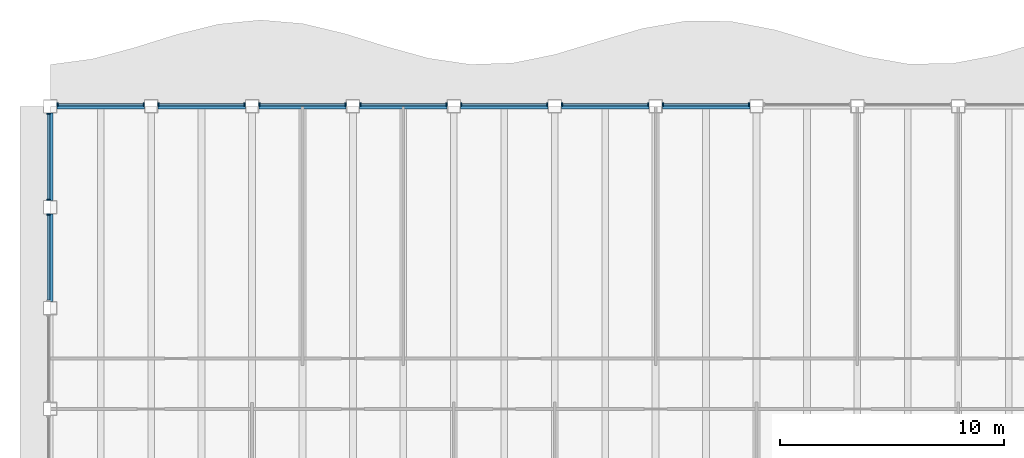
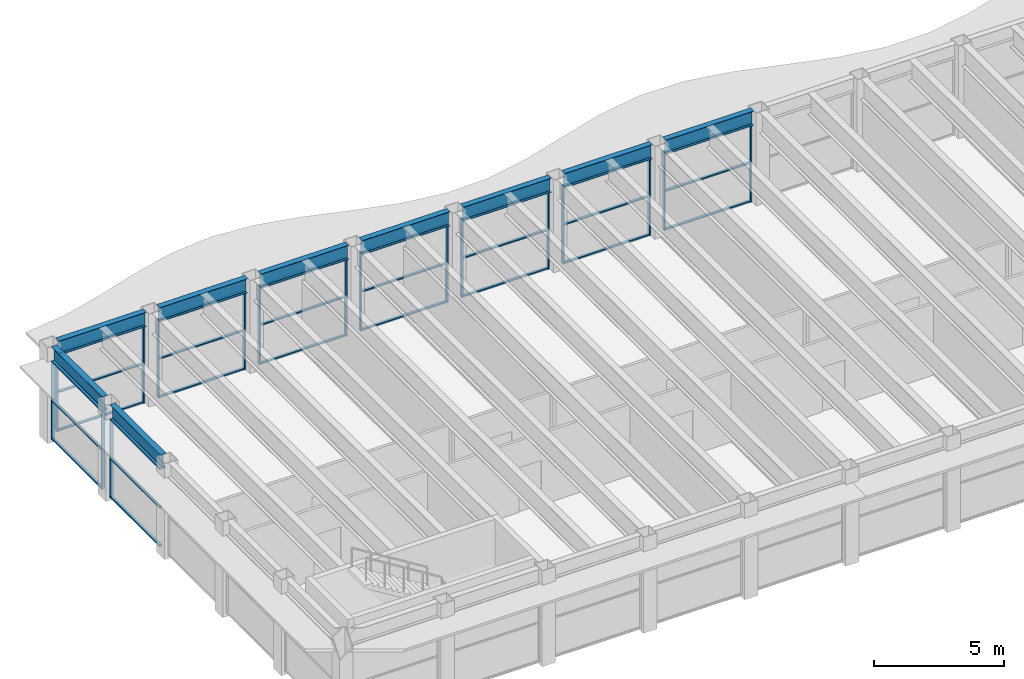
# One storey, part 4 of 14: 44 members, 9 beams, 9 elements without a shape of their own.
"""IFC4 building model written with IfcOpenShell, lengths in metres."""

from ifc_helpers import new_model, si_unit, direction, frame, origin, origin_2d, place, context, subcontext, project, spatial, rectangle, i_section, extrude, material, material_profile, profile_set, type_object, element, aggregate, save


model = new_model("IFC4")

# Units and contexts
model_context = context("Model", 3, precision=1e-05, world=origin(), true_north=direction((0.0, 1.0)))
body_context = subcontext(model_context, "Body", "Model", "MODEL_VIEW")
ifc_project = project(units=[si_unit("LENGTHUNIT", "METRE"), si_unit("AREAUNIT", "SQUARE_METRE"), si_unit("VOLUMEUNIT", "CUBIC_METRE"), si_unit("PLANEANGLEUNIT", "RADIAN"), si_unit("MASSUNIT", "GRAM", prefix="KILO")], contexts=[model_context])

# Site, building, storey
site_placement = place(None, origin())
site = spatial("IfcSite", under=ifc_project, at=site_placement, CompositionType="ELEMENT")
building_placement = place(site_placement, origin())
building = spatial("IfcBuilding", under=site, at=building_placement, Name="Sennacour Bend Tower", CompositionType="ELEMENT")
storey_placement = place(building_placement, frame((0.0, 0.0, 305.0)))
storey = spatial("IfcBuildingStorey", under=building, at=storey_placement, Name="L70", CompositionType="ELEMENT", Elevation=305.0)

# Curtain wall, members
ifc_material_1 = material(Name="Bronze anodised aluminium curtain wall with clear glass", Category="aluminium")
curtain_wall_type = type_object("IfcCurtainWallType", Name="CURTAIN WALL EXEC", PredefinedType="NOTDEFINED", material=ifc_material_1)
curtain_wall_1_placement = place(storey_placement, origin())
curtain_wall_1 = element("IfcCurtainWall", 1, at=curtain_wall_1_placement, inside=storey, type_object=curtain_wall_type, Name="Executive floor glass wall L70", PredefinedType="NOTDEFINED")
ifc_material_2 = material(Name="Aluminium 6063-T6", Category="aluminium")
ifc_material_profile_1 = material_profile(ifc_material_2, rectangle(XDim=0.14990234375, YDim=0.06005859375, at=origin_2d()), Name="Aluminium 6063-T6", Category="aluminium")
ifc_profile_set_1 = profile_set([ifc_material_profile_1], Name="Aluminium 6063-T6")
member_type_1 = type_object("IfcMemberType", Name="CW-MULLION-150X60", PredefinedType="MULLION", material=ifc_profile_set_1)
member_1_placement = place(storey_placement, frame((31.169921875, 22.574951171875, 0.0), z_axis=(0.0, 0.0, 1.0), x_axis=(0.0, -1.0, 0.0)))
member_1 = element("IfcMember", 2, at=member_1_placement, type_object=member_type_1, Name="GW3 curtain wall mullion 1", PredefinedType="MULLION", context=body_context, shape_type="SweptSolid", body=[
    extrude(rectangle(XDim=0.14990234375, YDim=0.06005859375, at=origin_2d()), origin(), (0.0, 0.0, 1.0), 3.672119140625),
])
member_2_placement = place(storey_placement, frame((27.330078125, 22.574951171875, 0.0), z_axis=(0.0, 0.0, 1.0), x_axis=(0.0, -1.0, 0.0)))
member_2 = element("IfcMember", 3, at=member_2_placement, type_object=member_type_1, Name="GW3 curtain wall mullion 2", PredefinedType="MULLION", context=body_context, shape_type="SweptSolid", body=[
    extrude(rectangle(XDim=0.14990234375, YDim=0.06005859375, at=origin_2d()), origin(), (0.0, 0.0, 1.0), 3.672119140625),
])

curtain_wall_2_placement = place(storey_placement, origin())
curtain_wall_2 = element("IfcCurtainWall", 4, at=curtain_wall_2_placement, inside=storey, type_object=curtain_wall_type, Name="Executive floor glass wall L70", PredefinedType="NOTDEFINED")
member_3_placement = place(storey_placement, frame((26.669921875, 22.574951171875, 0.0), z_axis=(0.0, 0.0, 1.0), x_axis=(0.0, -1.0, 0.0)))
member_3 = element("IfcMember", 5, at=member_3_placement, type_object=member_type_1, Name="GW3 curtain wall mullion 1", PredefinedType="MULLION", context=body_context, shape_type="SweptSolid", body=[
    extrude(rectangle(XDim=0.14990234375, YDim=0.06005859375, at=origin_2d()), origin(), (0.0, 0.0, 1.0), 3.672119140625),
])
member_4_placement = place(storey_placement, frame((22.830078125, 22.574951171875, 0.0), z_axis=(0.0, 0.0, 1.0), x_axis=(0.0, -1.0, 0.0)))
member_4 = element("IfcMember", 6, at=member_4_placement, type_object=member_type_1, Name="GW3 curtain wall mullion 2", PredefinedType="MULLION", context=body_context, shape_type="SweptSolid", body=[
    extrude(rectangle(XDim=0.14990234375, YDim=0.06005859375, at=origin_2d()), origin(), (0.0, 0.0, 1.0), 3.672119140625),
])

curtain_wall_3_placement = place(storey_placement, origin())
curtain_wall_3 = element("IfcCurtainWall", 7, at=curtain_wall_3_placement, inside=storey, type_object=curtain_wall_type, Name="Executive floor glass wall L70", PredefinedType="NOTDEFINED")
member_5_placement = place(storey_placement, frame((22.169921875, 22.574951171875, 0.0), z_axis=(0.0, 0.0, 1.0), x_axis=(0.0, -1.0, 0.0)))
member_5 = element("IfcMember", 8, at=member_5_placement, type_object=member_type_1, Name="GW3 curtain wall mullion 1", PredefinedType="MULLION", context=body_context, shape_type="SweptSolid", body=[
    extrude(rectangle(XDim=0.14990234375, YDim=0.06005859375, at=origin_2d()), origin(), (0.0, 0.0, 1.0), 3.672119140625),
])
member_6_placement = place(storey_placement, frame((18.330078125, 22.574951171875, 0.0), z_axis=(0.0, 0.0, 1.0), x_axis=(0.0, -1.0, 0.0)))
member_6 = element("IfcMember", 9, at=member_6_placement, type_object=member_type_1, Name="GW3 curtain wall mullion 2", PredefinedType="MULLION", context=body_context, shape_type="SweptSolid", body=[
    extrude(rectangle(XDim=0.14990234375, YDim=0.06005859375, at=origin_2d()), origin(), (0.0, 0.0, 1.0), 3.672119140625),
])

curtain_wall_4_placement = place(storey_placement, origin())
curtain_wall_4 = element("IfcCurtainWall", 10, at=curtain_wall_4_placement, inside=storey, type_object=curtain_wall_type, Name="Executive floor glass wall L70", PredefinedType="NOTDEFINED")
member_7_placement = place(storey_placement, frame((17.669921875, 22.574951171875, 0.0), z_axis=(0.0, 0.0, 1.0), x_axis=(0.0, -1.0, 0.0)))
member_7 = element("IfcMember", 11, at=member_7_placement, type_object=member_type_1, Name="GW3 curtain wall mullion 1", PredefinedType="MULLION", context=body_context, shape_type="SweptSolid", body=[
    extrude(rectangle(XDim=0.14990234375, YDim=0.06005859375, at=origin_2d()), origin(), (0.0, 0.0, 1.0), 3.672119140625),
])
member_8_placement = place(storey_placement, frame((13.830078125, 22.574951171875, 0.0), z_axis=(0.0, 0.0, 1.0), x_axis=(0.0, -1.0, 0.0)))
member_8 = element("IfcMember", 12, at=member_8_placement, type_object=member_type_1, Name="GW3 curtain wall mullion 2", PredefinedType="MULLION", context=body_context, shape_type="SweptSolid", body=[
    extrude(rectangle(XDim=0.14990234375, YDim=0.06005859375, at=origin_2d()), origin(), (0.0, 0.0, 1.0), 3.672119140625),
])

curtain_wall_5_placement = place(storey_placement, origin())
curtain_wall_5 = element("IfcCurtainWall", 13, at=curtain_wall_5_placement, inside=storey, type_object=curtain_wall_type, Name="Executive floor glass wall L70", PredefinedType="NOTDEFINED")
member_9_placement = place(storey_placement, frame((13.169921875, 22.574951171875, 0.0), z_axis=(0.0, 0.0, 1.0), x_axis=(0.0, -1.0, 0.0)))
member_9 = element("IfcMember", 14, at=member_9_placement, type_object=member_type_1, Name="GW3 curtain wall mullion 1", PredefinedType="MULLION", context=body_context, shape_type="SweptSolid", body=[
    extrude(rectangle(XDim=0.14990234375, YDim=0.06005859375, at=origin_2d()), origin(), (0.0, 0.0, 1.0), 3.672119140625),
])
member_10_placement = place(storey_placement, frame((9.330078125, 22.574951171875, 0.0), z_axis=(0.0, 0.0, 1.0), x_axis=(0.0, -1.0, 0.0)))
member_10 = element("IfcMember", 15, at=member_10_placement, type_object=member_type_1, Name="GW3 curtain wall mullion 2", PredefinedType="MULLION", context=body_context, shape_type="SweptSolid", body=[
    extrude(rectangle(XDim=0.14990234375, YDim=0.06005859375, at=origin_2d()), origin(), (0.0, 0.0, 1.0), 3.672119140625),
])

curtain_wall_6_placement = place(storey_placement, origin())
curtain_wall_6 = element("IfcCurtainWall", 16, at=curtain_wall_6_placement, inside=storey, type_object=curtain_wall_type, Name="Executive floor glass wall L70", PredefinedType="NOTDEFINED")
member_11_placement = place(storey_placement, frame((8.669921875, 22.574951171875, 0.0), z_axis=(0.0, 0.0, 1.0), x_axis=(0.0, -1.0, 0.0)))
member_11 = element("IfcMember", 17, at=member_11_placement, type_object=member_type_1, Name="GW3 curtain wall mullion 1", PredefinedType="MULLION", context=body_context, shape_type="SweptSolid", body=[
    extrude(rectangle(XDim=0.14990234375, YDim=0.06005859375, at=origin_2d()), origin(), (0.0, 0.0, 1.0), 3.672119140625),
])
member_12_placement = place(storey_placement, frame((4.830078125, 22.574951171875, 0.0), z_axis=(0.0, 0.0, 1.0), x_axis=(0.0, -1.0, 0.0)))
member_12 = element("IfcMember", 18, at=member_12_placement, type_object=member_type_1, Name="GW3 curtain wall mullion 2", PredefinedType="MULLION", context=body_context, shape_type="SweptSolid", body=[
    extrude(rectangle(XDim=0.14990234375, YDim=0.06005859375, at=origin_2d()), origin(), (0.0, 0.0, 1.0), 3.672119140625),
])

curtain_wall_7_placement = place(storey_placement, origin())
curtain_wall_7 = element("IfcCurtainWall", 19, at=curtain_wall_7_placement, inside=storey, type_object=curtain_wall_type, Name="Executive floor glass wall L70", PredefinedType="NOTDEFINED")
member_13_placement = place(storey_placement, frame((4.169921875, 22.574951171875, 0.0), z_axis=(0.0, 0.0, 1.0), x_axis=(0.0, -1.0, 0.0)))
member_13 = element("IfcMember", 20, at=member_13_placement, type_object=member_type_1, Name="GW3 curtain wall mullion 1", PredefinedType="MULLION", context=body_context, shape_type="SweptSolid", body=[
    extrude(rectangle(XDim=0.14990234375, YDim=0.06005859375, at=origin_2d()), origin(), (0.0, 0.0, 1.0), 3.672119140625),
])
member_14_placement = place(storey_placement, frame((0.330078125, 22.574951171875, 0.0), z_axis=(0.0, 0.0, 1.0), x_axis=(0.0, -1.0, 0.0)))
member_14 = element("IfcMember", 21, at=member_14_placement, type_object=member_type_1, Name="GW3 curtain wall mullion 2", PredefinedType="MULLION", context=body_context, shape_type="SweptSolid", body=[
    extrude(rectangle(XDim=0.14990234375, YDim=0.06005859375, at=origin_2d()), origin(), (0.0, 0.0, 1.0), 3.672119140625),
])

curtain_wall_8_placement = place(storey_placement, origin())
curtain_wall_8 = element("IfcCurtainWall", 22, at=curtain_wall_8_placement, inside=storey, type_object=curtain_wall_type, Name="Executive floor glass wall L70", PredefinedType="NOTDEFINED")
member_15_placement = place(storey_placement, frame((-0.074951171875, 22.169921875, 0.0), z_axis=(0.0, 0.0, 1.0), x_axis=(1.0, 0.0, 0.0)))
member_15 = element("IfcMember", 23, at=member_15_placement, type_object=member_type_1, Name="GW3 curtain wall mullion 1", PredefinedType="MULLION", context=body_context, shape_type="SweptSolid", body=[
    extrude(rectangle(XDim=0.14990234375, YDim=0.06005859375, at=origin_2d()), origin(), (0.0, 0.0, 1.0), 3.672119140625),
])
member_16_placement = place(storey_placement, frame((-0.074951171875, 18.330078125, 0.0), z_axis=(0.0, 0.0, 1.0), x_axis=(1.0, 0.0, 0.0)))
member_16 = element("IfcMember", 24, at=member_16_placement, type_object=member_type_1, Name="GW3 curtain wall mullion 2", PredefinedType="MULLION", context=body_context, shape_type="SweptSolid", body=[
    extrude(rectangle(XDim=0.14990234375, YDim=0.06005859375, at=origin_2d()), origin(), (0.0, 0.0, 1.0), 3.672119140625),
])

# Curtain wall, member
curtain_wall_9_placement = place(storey_placement, origin())
curtain_wall_9 = element("IfcCurtainWall", 25, at=curtain_wall_9_placement, inside=storey, type_object=curtain_wall_type, Name="Executive floor glass wall L70", PredefinedType="NOTDEFINED")
member_17_placement = place(storey_placement, frame((-0.074951171875, 17.669921875, 0.0), z_axis=(0.0, 0.0, 1.0), x_axis=(1.0, 0.0, 0.0)))
member_17 = element("IfcMember", 26, at=member_17_placement, type_object=member_type_1, Name="GW3 curtain wall mullion 1", PredefinedType="MULLION", context=body_context, shape_type="SweptSolid", body=[
    extrude(rectangle(XDim=0.14990234375, YDim=0.06005859375, at=origin_2d()), origin(), (0.0, 0.0, 1.0), 3.672119140625),
])

# Member
ifc_material_profile_2 = material_profile(ifc_material_2, rectangle(XDim=0.1201171875, YDim=0.06005859375, at=origin_2d()), Name="Aluminium 6063-T6", Category="aluminium")
ifc_profile_set_2 = profile_set([ifc_material_profile_2], Name="Aluminium 6063-T6")
member_type_2 = type_object("IfcMemberType", Name="CW-TRANSOM-120X60", PredefinedType="USERDEFINED", material=ifc_profile_set_2)
member_18_placement = place(storey_placement, frame((31.139892578125, 22.574951171875, 0.030029296875), z_axis=(-1.0, 0.0, 0.0), x_axis=(0.0, -1.0, 0.0)))
member_18 = element("IfcMember", 27, at=member_18_placement, type_object=member_type_2, Name="GW3 curtain wall transom 1.1", ObjectType="TRANSOM", PredefinedType="USERDEFINED", context=body_context, shape_type="SweptSolid", body=[
    extrude(rectangle(XDim=0.1201171875, YDim=0.06005859375, at=origin_2d()), origin(), (0.0, 0.0, 1.0), 3.77978515625),
])

member_19_placement = place(storey_placement, frame((31.139892578125, 22.574951171875, 1.8359375), z_axis=(-1.0, 0.0, 0.0), x_axis=(0.0, -1.0, 0.0)))
member_19 = element("IfcMember", 28, at=member_19_placement, type_object=member_type_2, Name="GW3 curtain wall transom 1.2", ObjectType="TRANSOM", PredefinedType="USERDEFINED", context=body_context, shape_type="SweptSolid", body=[
    extrude(rectangle(XDim=0.1201171875, YDim=0.06005859375, at=origin_2d()), origin(), (0.0, 0.0, 1.0), 3.77978515625),
])

member_20_placement = place(storey_placement, frame((31.139892578125, 22.574951171875, 3.64208984375), z_axis=(-1.0, 0.0, 0.0), x_axis=(0.0, -1.0, 0.0)))
member_20 = element("IfcMember", 29, at=member_20_placement, type_object=member_type_2, Name="GW3 curtain wall transom 1.3", ObjectType="TRANSOM", PredefinedType="USERDEFINED", context=body_context, shape_type="SweptSolid", body=[
    extrude(rectangle(XDim=0.1201171875, YDim=0.06005859375, at=origin_2d()), origin(), (0.0, 0.0, 1.0), 3.77978515625),
])

aggregate(curtain_wall_1, [member_1, member_2, member_18, member_19, member_20])

member_21_placement = place(storey_placement, frame((26.639892578125, 22.574951171875, 0.030029296875), z_axis=(-1.0, 0.0, 0.0), x_axis=(0.0, -1.0, 0.0)))
member_21 = element("IfcMember", 30, at=member_21_placement, type_object=member_type_2, Name="GW3 curtain wall transom 1.1", ObjectType="TRANSOM", PredefinedType="USERDEFINED", context=body_context, shape_type="SweptSolid", body=[
    extrude(rectangle(XDim=0.1201171875, YDim=0.06005859375, at=origin_2d()), origin(), (0.0, 0.0, 1.0), 3.77978515625),
])

member_22_placement = place(storey_placement, frame((26.639892578125, 22.574951171875, 1.8359375), z_axis=(-1.0, 0.0, 0.0), x_axis=(0.0, -1.0, 0.0)))
member_22 = element("IfcMember", 31, at=member_22_placement, type_object=member_type_2, Name="GW3 curtain wall transom 1.2", ObjectType="TRANSOM", PredefinedType="USERDEFINED", context=body_context, shape_type="SweptSolid", body=[
    extrude(rectangle(XDim=0.1201171875, YDim=0.06005859375, at=origin_2d()), origin(), (0.0, 0.0, 1.0), 3.77978515625),
])

member_23_placement = place(storey_placement, frame((26.639892578125, 22.574951171875, 3.64208984375), z_axis=(-1.0, 0.0, 0.0), x_axis=(0.0, -1.0, 0.0)))
member_23 = element("IfcMember", 32, at=member_23_placement, type_object=member_type_2, Name="GW3 curtain wall transom 1.3", ObjectType="TRANSOM", PredefinedType="USERDEFINED", context=body_context, shape_type="SweptSolid", body=[
    extrude(rectangle(XDim=0.1201171875, YDim=0.06005859375, at=origin_2d()), origin(), (0.0, 0.0, 1.0), 3.77978515625),
])

aggregate(curtain_wall_2, [member_3, member_4, member_21, member_22, member_23])

member_24_placement = place(storey_placement, frame((22.139892578125, 22.574951171875, 0.030029296875), z_axis=(-1.0, 0.0, 0.0), x_axis=(0.0, -1.0, 0.0)))
member_24 = element("IfcMember", 33, at=member_24_placement, type_object=member_type_2, Name="GW3 curtain wall transom 1.1", ObjectType="TRANSOM", PredefinedType="USERDEFINED", context=body_context, shape_type="SweptSolid", body=[
    extrude(rectangle(XDim=0.1201171875, YDim=0.06005859375, at=origin_2d()), origin(), (0.0, 0.0, 1.0), 3.77978515625),
])

member_25_placement = place(storey_placement, frame((22.139892578125, 22.574951171875, 1.8359375), z_axis=(-1.0, 0.0, 0.0), x_axis=(0.0, -1.0, 0.0)))
member_25 = element("IfcMember", 34, at=member_25_placement, type_object=member_type_2, Name="GW3 curtain wall transom 1.2", ObjectType="TRANSOM", PredefinedType="USERDEFINED", context=body_context, shape_type="SweptSolid", body=[
    extrude(rectangle(XDim=0.1201171875, YDim=0.06005859375, at=origin_2d()), origin(), (0.0, 0.0, 1.0), 3.77978515625),
])

member_26_placement = place(storey_placement, frame((22.139892578125, 22.574951171875, 3.64208984375), z_axis=(-1.0, 0.0, 0.0), x_axis=(0.0, -1.0, 0.0)))
member_26 = element("IfcMember", 35, at=member_26_placement, type_object=member_type_2, Name="GW3 curtain wall transom 1.3", ObjectType="TRANSOM", PredefinedType="USERDEFINED", context=body_context, shape_type="SweptSolid", body=[
    extrude(rectangle(XDim=0.1201171875, YDim=0.06005859375, at=origin_2d()), origin(), (0.0, 0.0, 1.0), 3.77978515625),
])

aggregate(curtain_wall_3, [member_5, member_6, member_24, member_25, member_26])

member_27_placement = place(storey_placement, frame((17.639892578125, 22.574951171875, 0.030029296875), z_axis=(-1.0, 0.0, 0.0), x_axis=(0.0, -1.0, 0.0)))
member_27 = element("IfcMember", 36, at=member_27_placement, type_object=member_type_2, Name="GW3 curtain wall transom 1.1", ObjectType="TRANSOM", PredefinedType="USERDEFINED", context=body_context, shape_type="SweptSolid", body=[
    extrude(rectangle(XDim=0.1201171875, YDim=0.06005859375, at=origin_2d()), origin(), (0.0, 0.0, 1.0), 3.77978515625),
])

member_28_placement = place(storey_placement, frame((17.639892578125, 22.574951171875, 1.8359375), z_axis=(-1.0, 0.0, 0.0), x_axis=(0.0, -1.0, 0.0)))
member_28 = element("IfcMember", 37, at=member_28_placement, type_object=member_type_2, Name="GW3 curtain wall transom 1.2", ObjectType="TRANSOM", PredefinedType="USERDEFINED", context=body_context, shape_type="SweptSolid", body=[
    extrude(rectangle(XDim=0.1201171875, YDim=0.06005859375, at=origin_2d()), origin(), (0.0, 0.0, 1.0), 3.77978515625),
])

member_29_placement = place(storey_placement, frame((17.639892578125, 22.574951171875, 3.64208984375), z_axis=(-1.0, 0.0, 0.0), x_axis=(0.0, -1.0, 0.0)))
member_29 = element("IfcMember", 38, at=member_29_placement, type_object=member_type_2, Name="GW3 curtain wall transom 1.3", ObjectType="TRANSOM", PredefinedType="USERDEFINED", context=body_context, shape_type="SweptSolid", body=[
    extrude(rectangle(XDim=0.1201171875, YDim=0.06005859375, at=origin_2d()), origin(), (0.0, 0.0, 1.0), 3.77978515625),
])

aggregate(curtain_wall_4, [member_7, member_8, member_27, member_28, member_29])

member_30_placement = place(storey_placement, frame((13.139892578125, 22.574951171875, 0.030029296875), z_axis=(-1.0, 0.0, 0.0), x_axis=(0.0, -1.0, 0.0)))
member_30 = element("IfcMember", 39, at=member_30_placement, type_object=member_type_2, Name="GW3 curtain wall transom 1.1", ObjectType="TRANSOM", PredefinedType="USERDEFINED", context=body_context, shape_type="SweptSolid", body=[
    extrude(rectangle(XDim=0.1201171875, YDim=0.06005859375, at=origin_2d()), origin(), (0.0, 0.0, 1.0), 3.77978515625),
])

member_31_placement = place(storey_placement, frame((13.139892578125, 22.574951171875, 1.8359375), z_axis=(-1.0, 0.0, 0.0), x_axis=(0.0, -1.0, 0.0)))
member_31 = element("IfcMember", 40, at=member_31_placement, type_object=member_type_2, Name="GW3 curtain wall transom 1.2", ObjectType="TRANSOM", PredefinedType="USERDEFINED", context=body_context, shape_type="SweptSolid", body=[
    extrude(rectangle(XDim=0.1201171875, YDim=0.06005859375, at=origin_2d()), origin(), (0.0, 0.0, 1.0), 3.77978515625),
])

member_32_placement = place(storey_placement, frame((13.139892578125, 22.574951171875, 3.64208984375), z_axis=(-1.0, 0.0, 0.0), x_axis=(0.0, -1.0, 0.0)))
member_32 = element("IfcMember", 41, at=member_32_placement, type_object=member_type_2, Name="GW3 curtain wall transom 1.3", ObjectType="TRANSOM", PredefinedType="USERDEFINED", context=body_context, shape_type="SweptSolid", body=[
    extrude(rectangle(XDim=0.1201171875, YDim=0.06005859375, at=origin_2d()), origin(), (0.0, 0.0, 1.0), 3.77978515625),
])

aggregate(curtain_wall_5, [member_9, member_10, member_30, member_31, member_32])

member_33_placement = place(storey_placement, frame((8.639892578125, 22.574951171875, 0.030029296875), z_axis=(-1.0, 0.0, 0.0), x_axis=(0.0, -1.0, 0.0)))
member_33 = element("IfcMember", 42, at=member_33_placement, type_object=member_type_2, Name="GW3 curtain wall transom 1.1", ObjectType="TRANSOM", PredefinedType="USERDEFINED", context=body_context, shape_type="SweptSolid", body=[
    extrude(rectangle(XDim=0.1201171875, YDim=0.06005859375, at=origin_2d()), origin(), (0.0, 0.0, 1.0), 3.77978515625),
])

member_34_placement = place(storey_placement, frame((8.639892578125, 22.574951171875, 1.8359375), z_axis=(-1.0, 0.0, 0.0), x_axis=(0.0, -1.0, 0.0)))
member_34 = element("IfcMember", 43, at=member_34_placement, type_object=member_type_2, Name="GW3 curtain wall transom 1.2", ObjectType="TRANSOM", PredefinedType="USERDEFINED", context=body_context, shape_type="SweptSolid", body=[
    extrude(rectangle(XDim=0.1201171875, YDim=0.06005859375, at=origin_2d()), origin(), (0.0, 0.0, 1.0), 3.77978515625),
])

member_35_placement = place(storey_placement, frame((8.639892578125, 22.574951171875, 3.64208984375), z_axis=(-1.0, 0.0, 0.0), x_axis=(0.0, -1.0, 0.0)))
member_35 = element("IfcMember", 44, at=member_35_placement, type_object=member_type_2, Name="GW3 curtain wall transom 1.3", ObjectType="TRANSOM", PredefinedType="USERDEFINED", context=body_context, shape_type="SweptSolid", body=[
    extrude(rectangle(XDim=0.1201171875, YDim=0.06005859375, at=origin_2d()), origin(), (0.0, 0.0, 1.0), 3.77978515625),
])

aggregate(curtain_wall_6, [member_11, member_12, member_33, member_34, member_35])

member_36_placement = place(storey_placement, frame((4.139892578125, 22.574951171875, 0.030029296875), z_axis=(-1.0, 0.0, 0.0), x_axis=(0.0, -1.0, 0.0)))
member_36 = element("IfcMember", 45, at=member_36_placement, type_object=member_type_2, Name="GW3 curtain wall transom 1.1", ObjectType="TRANSOM", PredefinedType="USERDEFINED", context=body_context, shape_type="SweptSolid", body=[
    extrude(rectangle(XDim=0.1201171875, YDim=0.06005859375, at=origin_2d()), origin(), (0.0, 0.0, 1.0), 3.77978515625),
])

member_37_placement = place(storey_placement, frame((4.139892578125, 22.574951171875, 1.8359375), z_axis=(-1.0, 0.0, 0.0), x_axis=(0.0, -1.0, 0.0)))
member_37 = element("IfcMember", 46, at=member_37_placement, type_object=member_type_2, Name="GW3 curtain wall transom 1.2", ObjectType="TRANSOM", PredefinedType="USERDEFINED", context=body_context, shape_type="SweptSolid", body=[
    extrude(rectangle(XDim=0.1201171875, YDim=0.06005859375, at=origin_2d()), origin(), (0.0, 0.0, 1.0), 3.77978515625),
])

member_38_placement = place(storey_placement, frame((4.139892578125, 22.574951171875, 3.64208984375), z_axis=(-1.0, 0.0, 0.0), x_axis=(0.0, -1.0, 0.0)))
member_38 = element("IfcMember", 47, at=member_38_placement, type_object=member_type_2, Name="GW3 curtain wall transom 1.3", ObjectType="TRANSOM", PredefinedType="USERDEFINED", context=body_context, shape_type="SweptSolid", body=[
    extrude(rectangle(XDim=0.1201171875, YDim=0.06005859375, at=origin_2d()), origin(), (0.0, 0.0, 1.0), 3.77978515625),
])

aggregate(curtain_wall_7, [member_13, member_14, member_36, member_37, member_38])

member_39_placement = place(storey_placement, frame((-0.074951171875, 22.139892578125, 0.030029296875), z_axis=(0.0, -1.0, 0.0), x_axis=(1.0, 0.0, 0.0)))
member_39 = element("IfcMember", 48, at=member_39_placement, type_object=member_type_2, Name="GW3 curtain wall transom 1.1", ObjectType="TRANSOM", PredefinedType="USERDEFINED", context=body_context, shape_type="SweptSolid", body=[
    extrude(rectangle(XDim=0.1201171875, YDim=0.06005859375, at=origin_2d()), origin(), (0.0, 0.0, 1.0), 3.77978515625),
])

member_40_placement = place(storey_placement, frame((-0.074951171875, 22.139892578125, 1.8359375), z_axis=(0.0, -1.0, 0.0), x_axis=(1.0, 0.0, 0.0)))
member_40 = element("IfcMember", 49, at=member_40_placement, type_object=member_type_2, Name="GW3 curtain wall transom 1.2", ObjectType="TRANSOM", PredefinedType="USERDEFINED", context=body_context, shape_type="SweptSolid", body=[
    extrude(rectangle(XDim=0.1201171875, YDim=0.06005859375, at=origin_2d()), origin(), (0.0, 0.0, 1.0), 3.77978515625),
])

member_41_placement = place(storey_placement, frame((-0.074951171875, 22.139892578125, 3.64208984375), z_axis=(0.0, -1.0, 0.0), x_axis=(1.0, 0.0, 0.0)))
member_41 = element("IfcMember", 50, at=member_41_placement, type_object=member_type_2, Name="GW3 curtain wall transom 1.3", ObjectType="TRANSOM", PredefinedType="USERDEFINED", context=body_context, shape_type="SweptSolid", body=[
    extrude(rectangle(XDim=0.1201171875, YDim=0.06005859375, at=origin_2d()), origin(), (0.0, 0.0, 1.0), 3.77978515625),
])

aggregate(curtain_wall_8, [member_15, member_16, member_39, member_40, member_41])

member_42_placement = place(storey_placement, frame((-0.074951171875, 17.639892578125, 0.030029296875), z_axis=(0.0, -1.0, 0.0), x_axis=(1.0, 0.0, 0.0)))
member_42 = element("IfcMember", 51, at=member_42_placement, type_object=member_type_2, Name="GW3 curtain wall transom 1.1", ObjectType="TRANSOM", PredefinedType="USERDEFINED", context=body_context, shape_type="SweptSolid", body=[
    extrude(rectangle(XDim=0.1201171875, YDim=0.06005859375, at=origin_2d()), origin(), (0.0, 0.0, 1.0), 3.77978515625),
])

member_43_placement = place(storey_placement, frame((-0.074951171875, 17.639892578125, 1.8359375), z_axis=(0.0, -1.0, 0.0), x_axis=(1.0, 0.0, 0.0)))
member_43 = element("IfcMember", 52, at=member_43_placement, type_object=member_type_2, Name="GW3 curtain wall transom 1.2", ObjectType="TRANSOM", PredefinedType="USERDEFINED", context=body_context, shape_type="SweptSolid", body=[
    extrude(rectangle(XDim=0.1201171875, YDim=0.06005859375, at=origin_2d()), origin(), (0.0, 0.0, 1.0), 3.77978515625),
])

member_44_placement = place(storey_placement, frame((-0.074951171875, 17.639892578125, 3.64208984375), z_axis=(0.0, -1.0, 0.0), x_axis=(1.0, 0.0, 0.0)))
member_44 = element("IfcMember", 53, at=member_44_placement, type_object=member_type_2, Name="GW3 curtain wall transom 1.3", ObjectType="TRANSOM", PredefinedType="USERDEFINED", context=body_context, shape_type="SweptSolid", body=[
    extrude(rectangle(XDim=0.1201171875, YDim=0.06005859375, at=origin_2d()), origin(), (0.0, 0.0, 1.0), 3.77978515625),
])

aggregate(curtain_wall_9, [member_17, member_42, member_43, member_44])

# Beams
ifc_material_3 = material(Name="Steel ASTM A992 Grade 50", Category="steel")
ifc_material_profile_3 = material_profile(ifc_material_3, i_section(OverallWidth=0.25390625, OverallDepth=0.677978515625, WebThickness=0.01171875, FlangeThickness=0.016357421875, FilletRadius=0.01513671875, at=origin_2d()), Name="Steel ASTM A992 Grade 50", Category="steel")
ifc_profile_set_3 = profile_set([ifc_material_profile_3], Name="Steel ASTM A992 Grade 50")
beam_type = type_object("IfcBeamType", Name="Spandrel beam W690X125", PredefinedType="SPANDREL", material=ifc_profile_set_3)
for number, where, z_axis, x_axis, name in (
    (54, (0.0, 13.800048828125, 4.010986328125), (0.0, 1.0, 0.0), (-1.0, 0.0, 0.0), "Spandrel beam SP7 L71-004"),
    (55, (0.0, 18.300048828125, 4.010986328125), (0.0, 1.0, 0.0), (-1.0, 0.0, 0.0), "Spandrel beam SP7 L71-005"),
    (56, (0.300048828125, 22.5, 4.010986328125), (1.0, 0.0, 0.0), (0.0, 1.0, 0.0), "Spandrel beam SP7 L71-006"),
    (57, (4.800048828125, 22.5, 4.010986328125), (1.0, 0.0, 0.0), (0.0, 1.0, 0.0), "Spandrel beam SP7 L71-007"),
    (58, (9.300048828125, 22.5, 4.010986328125), (1.0, 0.0, 0.0), (0.0, 1.0, 0.0), "Spandrel beam SP7 L71-008"),
    (59, (13.800048828125, 22.5, 4.010986328125), (1.0, 0.0, 0.0), (0.0, 1.0, 0.0), "Spandrel beam SP7 L71-009"),
    (60, (18.300048828125, 22.5, 4.010986328125), (1.0, 0.0, 0.0), (0.0, 1.0, 0.0), "Spandrel beam SP7 L71-010"),
    (61, (22.800048828125, 22.5, 4.010986328125), (1.0, 0.0, 0.0), (0.0, 1.0, 0.0), "Spandrel beam SP7 L71-011"),
    (62, (27.300048828125, 22.5, 4.010986328125), (1.0, 0.0, 0.0), (0.0, 1.0, 0.0), "Spandrel beam SP7 L71-012"),
):
    element("IfcBeam", number, at=place(storey_placement, frame(where, z_axis=z_axis, x_axis=x_axis)), inside=storey, type_object=beam_type, Name=name, PredefinedType="SPANDREL", context=body_context, shape_type="SweptSolid", body=[
        extrude(i_section(OverallWidth=0.25390625, OverallDepth=0.677978515625, WebThickness=0.01171875, FlangeThickness=0.016357421875, FilletRadius=0.01513671875, at=origin_2d()), origin(), (0.0, 0.0, 1.0), 3.89990234375),
    ])

save(model, "model.ifc")
